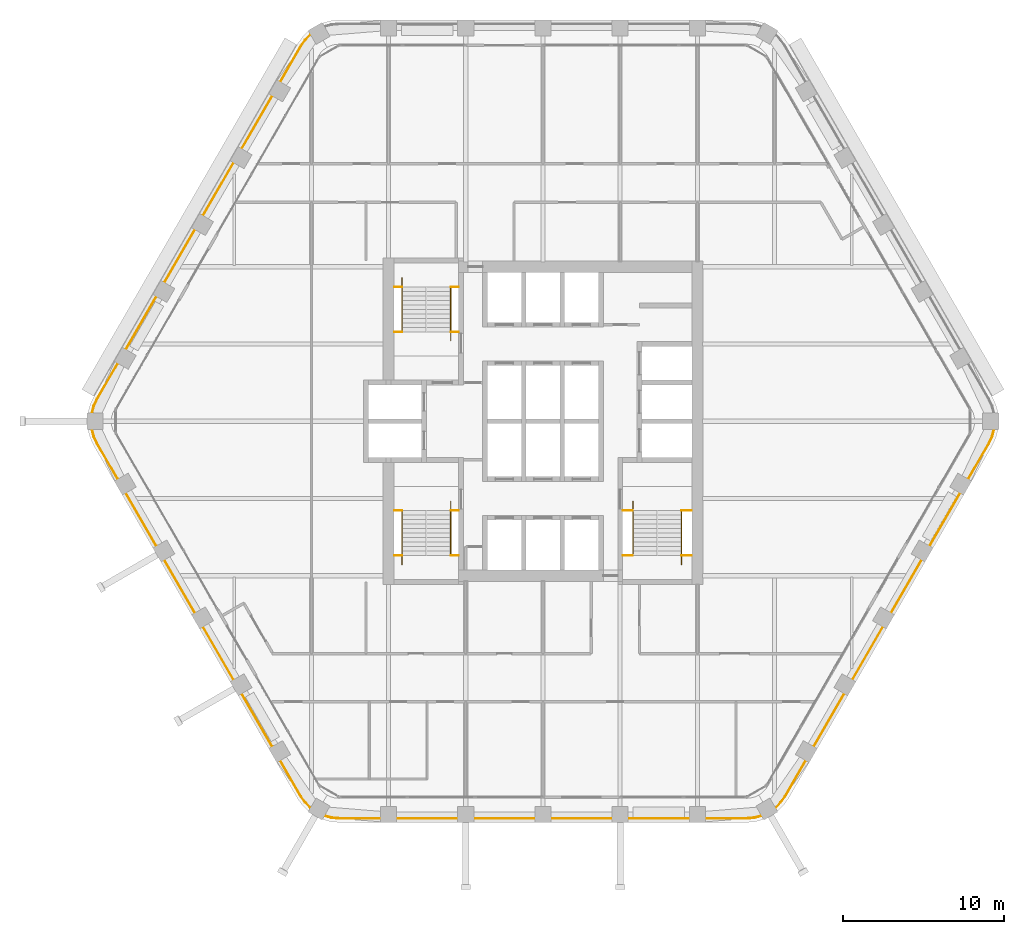
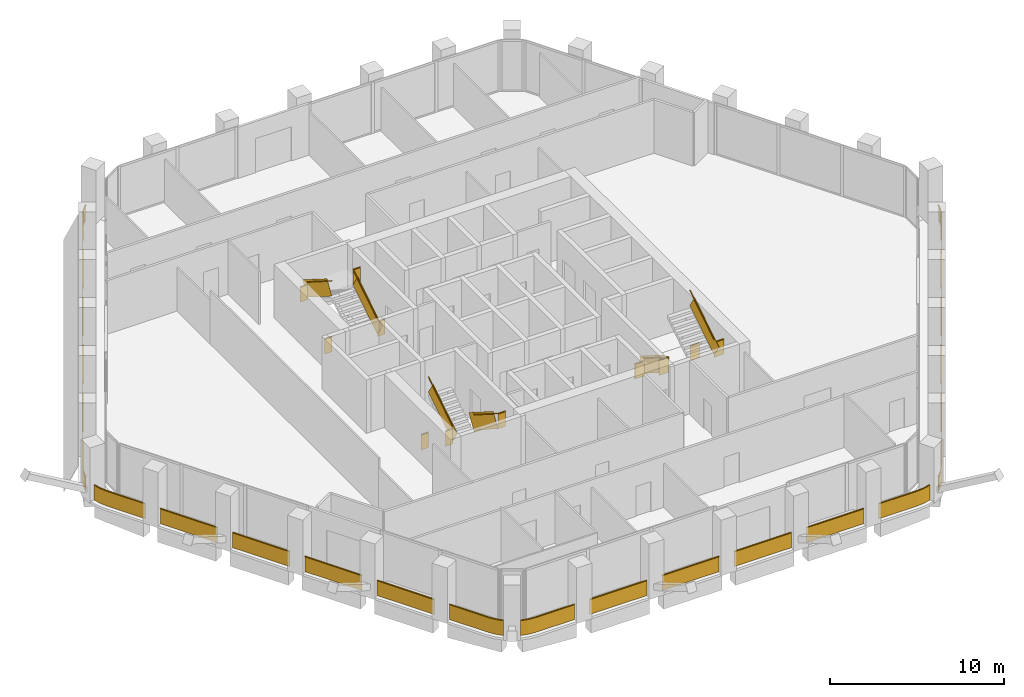
# One storey, part 15 of 16: 10 railings.
"""IFC4 building model written with IfcOpenShell, lengths in metres."""

from ifc_helpers import new_model, si_unit, direction, frame, frame_2d, origin, origin_2d, place, context, subcontext, project, spatial, rectangle, extrude, material, type_object, element, save


model = new_model("IFC4")

# Units and contexts
model_context = context("Model", 3, precision=1e-05, world=origin(), true_north=direction((0.0, 1.0)))
body_context = subcontext(model_context, "Body", "Model", "MODEL_VIEW")
ifc_project = project(units=[si_unit("LENGTHUNIT", "METRE"), si_unit("AREAUNIT", "SQUARE_METRE"), si_unit("VOLUMEUNIT", "CUBIC_METRE"), si_unit("PLANEANGLEUNIT", "RADIAN"), si_unit("MASSUNIT", "GRAM", prefix="KILO")], contexts=[model_context])

# Site, building, storey
site_placement = place(None, origin())
site = spatial("IfcSite", under=ifc_project, at=site_placement, CompositionType="ELEMENT")
building_placement = place(site_placement, origin())
building = spatial("IfcBuilding", under=site, at=building_placement, Name="Kolab Exchange Tower", CompositionType="ELEMENT")
storey_placement = place(building_placement, frame((0.0, 0.0, 209.0)))
storey = spatial("IfcBuildingStorey", under=building, at=storey_placement, Name="L45", CompositionType="ELEMENT", Elevation=209.0)

# Railings
ifc_material_1 = material(Name="Stainless steel 316", Category="steel")
railing_type_1 = type_object("IfcRailingType", Name="GUARD 1100", PredefinedType="GUARDRAIL", material=ifc_material_1)
railing_1_placement = place(storey_placement, frame((-9.25, 5.550048828125, 0.0)))
element("IfcRailing", 1, at=railing_1_placement, inside=storey, type_object=railing_type_1, Name="Guard ST1", PredefinedType="GUARDRAIL", context=body_context, shape_type="SweptSolid", body=[
    extrude(rectangle(XDim=0.05, YDim=0.05, at=origin_2d()), frame((0.0, 0.0, 1.0751953125), z_axis=(1.0, 0.0, 0.0), x_axis=(0.0, 1.0, 0.0)), (0.0, 0.0, 1.0), 0.489990234375),
    extrude(rectangle(XDim=0.012, YDim=1.05009765625, at=frame_2d((0.0, 0.525146484375))), frame((0.0, 0.0, 0.0), z_axis=(1.0, 0.0, 0.0), x_axis=(0.0, 1.0, 0.0)), (0.0, 0.0, 1.0), 0.489990234375),
    extrude(rectangle(XDim=0.05, YDim=0.05, at=origin_2d()), frame((3.510009765625, 0.0, 1.0751953125), z_axis=(1.0, 0.0, 0.0), x_axis=(0.0, 1.0, 0.0)), (0.0, 0.0, 1.0), 0.489990234375),
    extrude(rectangle(XDim=0.012, YDim=1.05009765625, at=frame_2d((0.0, 0.525146484375))), frame((3.510009765625, 0.0, 0.0), z_axis=(1.0, 0.0, 0.0), x_axis=(0.0, 1.0, 0.0)), (0.0, 0.0, 1.0), 0.489990234375),
    extrude(rectangle(XDim=0.05, YDim=0.05, at=origin_2d()), frame((0.0, 2.800048828125, 3.025146484375), z_axis=(1.0, 0.0, 0.0), x_axis=(0.0, 1.0, 0.0)), (0.0, 0.0, 1.0), 0.489990234375),
    extrude(rectangle(XDim=0.012, YDim=1.05009765625, at=frame_2d((0.0, 0.525146484375))), frame((0.0, 2.800048828125, 1.949951171875), z_axis=(1.0, 0.0, 0.0), x_axis=(0.0, 1.0, 0.0)), (0.0, 0.0, 1.0), 0.489990234375),
    extrude(rectangle(XDim=0.05, YDim=0.05, at=origin_2d()), frame((3.510009765625, 2.800048828125, 3.025146484375), z_axis=(1.0, 0.0, 0.0), x_axis=(0.0, 1.0, 0.0)), (0.0, 0.0, 1.0), 0.489990234375),
    extrude(rectangle(XDim=0.012, YDim=1.05009765625, at=frame_2d((0.0, 0.525146484375))), frame((3.510009765625, 2.800048828125, 1.949951171875), z_axis=(1.0, 0.0, 0.0), x_axis=(0.0, 1.0, 0.0)), (0.0, 0.0, 1.0), 0.489990234375),
])
railing_2_placement = place(storey_placement, frame((-5.739990234375, 5.550048828125, 0.17724609375)))
element("IfcRailing", 2, at=railing_2_placement, inside=storey, type_object=railing_type_1, Name="Handrail guard ST1", PredefinedType="GUARDRAIL", context=body_context, shape_type="SweptSolid", body=[
    extrude(rectangle(XDim=0.05, YDim=0.05, at=origin_2d()), frame((0.0, 0.0, 1.0751953125), z_axis=(0.0, 0.844908973607, 0.534910110503), x_axis=(-1.0, 0.0, 0.0)), (0.0, 0.0, 1.0), 3.31396484375),
    extrude(rectangle(XDim=0.012, YDim=1.05009765625, at=frame_2d((0.0, 0.525146484375))), frame((0.0, 0.0, 0.0), z_axis=(0.0, 0.844908973607, 0.534910110503), x_axis=(-1.0, 0.0, 0.0)), (0.0, 0.0, 1.0), 3.31396484375),
    extrude(rectangle(XDim=0.05, YDim=0.05, at=origin_2d()), frame((-3.02001953125, 2.800048828125, 3.025146484375), z_axis=(0.0, -0.844908973607, 0.534910110503), x_axis=(1.0, 0.0, 0.0)), (0.0, 0.0, 1.0), 3.31396484375),
    extrude(rectangle(XDim=0.012, YDim=1.05009765625, at=frame_2d((0.0, 0.525146484375))), frame((-3.02001953125, 2.800048828125, 1.949951171875), z_axis=(0.0, -0.844908973607, 0.534910110503), x_axis=(1.0, 0.0, 0.0)), (0.0, 0.0, 1.0), 3.31396484375),
])
railing_3_placement = place(storey_placement, frame((-9.25, -5.550048828125, 0.0)))
element("IfcRailing", 3, at=railing_3_placement, inside=storey, type_object=railing_type_1, Name="Guard ST3", PredefinedType="GUARDRAIL", context=body_context, shape_type="SweptSolid", body=[
    extrude(rectangle(XDim=0.05, YDim=0.05, at=origin_2d()), frame((0.0, 0.0, 1.0751953125), z_axis=(1.0, 0.0, 0.0), x_axis=(0.0, 1.0, 0.0)), (0.0, 0.0, 1.0), 0.489990234375),
    extrude(rectangle(XDim=0.012, YDim=1.05009765625, at=frame_2d((0.0, 0.525146484375))), frame((0.0, 0.0, 0.0), z_axis=(1.0, 0.0, 0.0), x_axis=(0.0, 1.0, 0.0)), (0.0, 0.0, 1.0), 0.489990234375),
    extrude(rectangle(XDim=0.05, YDim=0.05, at=origin_2d()), frame((3.510009765625, 0.0, 1.0751953125), z_axis=(1.0, 0.0, 0.0), x_axis=(0.0, 1.0, 0.0)), (0.0, 0.0, 1.0), 0.489990234375),
    extrude(rectangle(XDim=0.012, YDim=1.05009765625, at=frame_2d((0.0, 0.525146484375))), frame((3.510009765625, 0.0, 0.0), z_axis=(1.0, 0.0, 0.0), x_axis=(0.0, 1.0, 0.0)), (0.0, 0.0, 1.0), 0.489990234375),
    extrude(rectangle(XDim=0.05, YDim=0.05, at=origin_2d()), frame((0.0, -2.800048828125, 3.025146484375), z_axis=(1.0, 0.0, 0.0), x_axis=(0.0, 1.0, 0.0)), (0.0, 0.0, 1.0), 0.489990234375),
    extrude(rectangle(XDim=0.012, YDim=1.05009765625, at=frame_2d((0.0, 0.525146484375))), frame((0.0, -2.800048828125, 1.949951171875), z_axis=(1.0, 0.0, 0.0), x_axis=(0.0, 1.0, 0.0)), (0.0, 0.0, 1.0), 0.489990234375),
    extrude(rectangle(XDim=0.05, YDim=0.05, at=origin_2d()), frame((3.510009765625, -2.800048828125, 3.025146484375), z_axis=(1.0, 0.0, 0.0), x_axis=(0.0, 1.0, 0.0)), (0.0, 0.0, 1.0), 0.489990234375),
    extrude(rectangle(XDim=0.012, YDim=1.05009765625, at=frame_2d((0.0, 0.525146484375))), frame((3.510009765625, -2.800048828125, 1.949951171875), z_axis=(1.0, 0.0, 0.0), x_axis=(0.0, 1.0, 0.0)), (0.0, 0.0, 1.0), 0.489990234375),
])
railing_4_placement = place(storey_placement, frame((-5.739990234375, -5.550048828125, 0.17724609375)))
element("IfcRailing", 4, at=railing_4_placement, inside=storey, type_object=railing_type_1, Name="Handrail guard ST3", PredefinedType="GUARDRAIL", context=body_context, shape_type="SweptSolid", body=[
    extrude(rectangle(XDim=0.05, YDim=0.05, at=origin_2d()), frame((0.0, 0.0, 1.0751953125), z_axis=(0.0, -0.844908973607, 0.534910110503), x_axis=(1.0, 0.0, 0.0)), (0.0, 0.0, 1.0), 3.31396484375),
    extrude(rectangle(XDim=0.012, YDim=1.05009765625, at=frame_2d((0.0, 0.525146484375))), frame((0.0, 0.0, 0.0), z_axis=(0.0, -0.844908973607, 0.534910110503), x_axis=(1.0, 0.0, 0.0)), (0.0, 0.0, 1.0), 3.31396484375),
    extrude(rectangle(XDim=0.05, YDim=0.05, at=origin_2d()), frame((-3.02001953125, -2.800048828125, 3.025146484375), z_axis=(0.0, 0.844908973607, 0.534910110503), x_axis=(-1.0, 0.0, 0.0)), (0.0, 0.0, 1.0), 3.31396484375),
    extrude(rectangle(XDim=0.012, YDim=1.05009765625, at=frame_2d((0.0, 0.525146484375))), frame((-3.02001953125, -2.800048828125, 1.949951171875), z_axis=(0.0, 0.844908973607, 0.534910110503), x_axis=(-1.0, 0.0, 0.0)), (0.0, 0.0, 1.0), 3.31396484375),
])
railing_5_placement = place(storey_placement, frame((4.949951171875, -5.550048828125, 0.0)))
element("IfcRailing", 5, at=railing_5_placement, inside=storey, type_object=railing_type_1, Name="Guard ST2", PredefinedType="GUARDRAIL", context=body_context, shape_type="SweptSolid", body=[
    extrude(rectangle(XDim=0.05, YDim=0.05, at=origin_2d()), frame((0.0, 0.0, 1.0751953125), z_axis=(1.0, 0.0, 0.0), x_axis=(0.0, 1.0, 0.0)), (0.0, 0.0, 1.0), 0.64013671875),
    extrude(rectangle(XDim=0.012, YDim=1.05009765625, at=frame_2d((0.0, 0.525146484375))), frame((0.0, 0.0, 0.0), z_axis=(1.0, 0.0, 0.0), x_axis=(0.0, 1.0, 0.0)), (0.0, 0.0, 1.0), 0.64013671875),
    extrude(rectangle(XDim=0.05, YDim=0.05, at=origin_2d()), frame((3.66015625, 0.0, 1.0751953125), z_axis=(1.0, 0.0, 0.0), x_axis=(0.0, 1.0, 0.0)), (0.0, 0.0, 1.0), 0.639892578125),
    extrude(rectangle(XDim=0.012, YDim=1.05009765625, at=frame_2d((0.0, 0.525146484375))), frame((3.66015625, 0.0, 0.0), z_axis=(1.0, 0.0, 0.0), x_axis=(0.0, 1.0, 0.0)), (0.0, 0.0, 1.0), 0.639892578125),
    extrude(rectangle(XDim=0.05, YDim=0.05, at=origin_2d()), frame((0.0, -2.800048828125, 3.025146484375), z_axis=(1.0, 0.0, 0.0), x_axis=(0.0, 1.0, 0.0)), (0.0, 0.0, 1.0), 0.64013671875),
    extrude(rectangle(XDim=0.012, YDim=1.05009765625, at=frame_2d((0.0, 0.525146484375))), frame((0.0, -2.800048828125, 1.949951171875), z_axis=(1.0, 0.0, 0.0), x_axis=(0.0, 1.0, 0.0)), (0.0, 0.0, 1.0), 0.64013671875),
    extrude(rectangle(XDim=0.05, YDim=0.05, at=origin_2d()), frame((3.66015625, -2.800048828125, 3.025146484375), z_axis=(1.0, 0.0, 0.0), x_axis=(0.0, 1.0, 0.0)), (0.0, 0.0, 1.0), 0.639892578125),
    extrude(rectangle(XDim=0.012, YDim=1.05009765625, at=frame_2d((0.0, 0.525146484375))), frame((3.66015625, -2.800048828125, 1.949951171875), z_axis=(1.0, 0.0, 0.0), x_axis=(0.0, 1.0, 0.0)), (0.0, 0.0, 1.0), 0.639892578125),
])
railing_6_placement = place(storey_placement, frame((5.590087890625, -5.550048828125, 0.17724609375)))
element("IfcRailing", 6, at=railing_6_placement, inside=storey, type_object=railing_type_1, Name="Handrail guard ST2", PredefinedType="GUARDRAIL", context=body_context, shape_type="SweptSolid", body=[
    extrude(rectangle(XDim=0.05, YDim=0.05, at=origin_2d()), frame((0.0, 0.0, 1.0751953125), z_axis=(0.0, -0.844908973607, 0.534910110503), x_axis=(1.0, 0.0, 0.0)), (0.0, 0.0, 1.0), 3.31396484375),
    extrude(rectangle(XDim=0.012, YDim=1.05009765625, at=frame_2d((0.0, 0.525146484375))), frame((0.0, 0.0, 0.0), z_axis=(0.0, -0.844908973607, 0.534910110503), x_axis=(1.0, 0.0, 0.0)), (0.0, 0.0, 1.0), 3.31396484375),
    extrude(rectangle(XDim=0.05, YDim=0.05, at=origin_2d()), frame((3.02001953125, -2.800048828125, 3.025146484375), z_axis=(0.0, 0.844908973607, 0.534910110503), x_axis=(-1.0, 0.0, 0.0)), (0.0, 0.0, 1.0), 3.31396484375),
    extrude(rectangle(XDim=0.012, YDim=1.05009765625, at=frame_2d((0.0, 0.525146484375))), frame((3.02001953125, -2.800048828125, 1.949951171875), z_axis=(0.0, 0.844908973607, 0.534910110503), x_axis=(-1.0, 0.0, 0.0)), (0.0, 0.0, 1.0), 3.31396484375),
])
ifc_material_2 = material(Name="Steel S235", Category="steel")
railing_type_2 = type_object("IfcRailingType", Name="GUARD 1100 GLASS BALUSTRADE AND STEEL TOP RAIL", PredefinedType="GUARDRAIL", material=ifc_material_2)
railing_7_placement = place(storey_placement, frame((14.4501953125, -24.033447265625, 0.0)))
element("IfcRailing", 7, at=railing_7_placement, inside=storey, type_object=railing_type_2, Name="Guard", PredefinedType="GUARDRAIL", context=body_context, shape_type="SweptSolid", body=[
    extrude(rectangle(XDim=0.05, YDim=0.05, at=origin_2d()), frame((0.0, 0.0, 1.0751953125), z_axis=(0.70737286085, 0.706840601361, 0.0), x_axis=(-0.706840601361, 0.70737286085, 0.0)), (0.0, 0.0, 1.0), 0.458740234375),
    extrude(rectangle(XDim=0.012, YDim=1.05009765625, at=frame_2d((0.0, 0.525146484375))), frame((0.0, 0.0, 0.0), z_axis=(0.70737286085, 0.706840601361, 0.0), x_axis=(-0.706840601361, 0.70737286085, 0.0)), (0.0, 0.0, 1.0), 0.458740234375),
    extrude(rectangle(XDim=0.05, YDim=0.05, at=origin_2d()), frame((0.324462890625, 0.32421875, 1.0751953125), z_axis=(0.573599091554, 0.819136180478, 0.0), x_axis=(-0.819136180478, 0.573599091554, 0.0)), (0.0, 0.0, 1.0), 0.479248046875),
    extrude(rectangle(XDim=0.012, YDim=1.05009765625, at=frame_2d((0.0, 0.525146484375))), frame((0.324462890625, 0.32421875, 0.0), z_axis=(0.573599091554, 0.819136180478, 0.0), x_axis=(-0.819136180478, 0.573599091554, 0.0)), (0.0, 0.0, 1.0), 0.479248046875),
    extrude(rectangle(XDim=0.05, YDim=0.05, at=origin_2d()), frame((0.599365234375, 0.716796875, 1.0751953125), z_axis=(0.499952873616, 0.866052610505, 0.0), x_axis=(-0.866052610505, 0.499952873616, 0.0)), (0.0, 0.0, 1.0), 2.568115234375),
    extrude(rectangle(XDim=0.012, YDim=1.05009765625, at=frame_2d((0.0, 0.525146484375))), frame((0.599365234375, 0.716796875, 0.0), z_axis=(0.499952873616, 0.866052610505, 0.0), x_axis=(-0.866052610505, 0.499952873616, 0.0)), (0.0, 0.0, 1.0), 2.568115234375),
    extrude(rectangle(XDim=0.05, YDim=0.05, at=origin_2d()), frame((2.38330078125, 3.806884765625, 1.0751953125), z_axis=(0.499994975061, 0.866028304915, 0.0), x_axis=(-0.866028304915, 0.499994975061, 0.0)), (0.0, 0.0, 1.0), 3.7998046875),
    extrude(rectangle(XDim=0.012, YDim=1.05009765625, at=frame_2d((0.0, 0.525146484375))), frame((2.38330078125, 3.806884765625, 0.0), z_axis=(0.499994975061, 0.866028304915, 0.0), x_axis=(-0.866028304915, 0.499994975061, 0.0)), (0.0, 0.0, 1.0), 3.7998046875),
    extrude(rectangle(XDim=0.05, YDim=0.05, at=origin_2d()), frame((4.783203125, 7.9638671875, 1.0751953125), z_axis=(0.500043160704, 0.866000483506, 0.0), x_axis=(-0.866000483506, 0.500043160704, 0.0)), (0.0, 0.0, 1.0), 3.800048828125),
    extrude(rectangle(XDim=0.012, YDim=1.05009765625, at=frame_2d((0.0, 0.525146484375))), frame((4.783203125, 7.9638671875, 0.0), z_axis=(0.500043160704, 0.866000483506, 0.0), x_axis=(-0.866000483506, 0.500043160704, 0.0)), (0.0, 0.0, 1.0), 3.800048828125),
    extrude(rectangle(XDim=0.05, YDim=0.05, at=origin_2d()), frame((7.183349609375, 12.12060546875, 1.0751953125), z_axis=(0.499967155389, 0.866044365799, 0.0), x_axis=(-0.866044365799, 0.499967155389, 0.0)), (0.0, 0.0, 1.0), 3.800048828125),
    extrude(rectangle(XDim=0.012, YDim=1.05009765625, at=frame_2d((0.0, 0.525146484375))), frame((7.183349609375, 12.12060546875, 0.0), z_axis=(0.499967155389, 0.866044365799, 0.0), x_axis=(-0.866044365799, 0.499967155389, 0.0)), (0.0, 0.0, 1.0), 3.800048828125),
    extrude(rectangle(XDim=0.05, YDim=0.05, at=origin_2d()), frame((9.583251953125, 16.277587890625, 1.0751953125), z_axis=(0.500015340139, 0.86601654697, 0.0), x_axis=(-0.86601654697, 0.500015340139, 0.0)), (0.0, 0.0, 1.0), 3.80029296875),
    extrude(rectangle(XDim=0.012, YDim=1.05009765625, at=frame_2d((0.0, 0.525146484375))), frame((9.583251953125, 16.277587890625, 0.0), z_axis=(0.500015340139, 0.86601654697, 0.0), x_axis=(-0.86601654697, 0.500015340139, 0.0)), (0.0, 0.0, 1.0), 3.80029296875),
    extrude(rectangle(XDim=0.05, YDim=0.05, at=origin_2d()), frame((11.9833984375, 20.4345703125, 1.0751953125), z_axis=(0.499994038704, 0.866028845513, 0.0), x_axis=(-0.866028845513, 0.499994038704, 0.0)), (0.0, 0.0, 1.0), 2.56787109375),
    extrude(rectangle(XDim=0.012, YDim=1.05009765625, at=frame_2d((0.0, 0.525146484375))), frame((11.9833984375, 20.4345703125, 0.0), z_axis=(0.499994038704, 0.866028845513, 0.0), x_axis=(-0.866028845513, 0.499994038704, 0.0)), (0.0, 0.0, 1.0), 2.56787109375),
    extrude(rectangle(XDim=0.05, YDim=0.05, at=origin_2d()), frame((13.267333984375, 22.658447265625, 1.0751953125), z_axis=(0.422801802984, 0.906222177721, 0.0), x_axis=(-0.906222177721, 0.422801802984, 0.0)), (0.0, 0.0, 1.0), 0.479248046875),
    extrude(rectangle(XDim=0.012, YDim=1.05009765625, at=frame_2d((0.0, 0.525146484375))), frame((13.267333984375, 22.658447265625, 0.0), z_axis=(0.422801802984, 0.906222177721, 0.0), x_axis=(-0.906222177721, 0.422801802984, 0.0)), (0.0, 0.0, 1.0), 0.479248046875),
    extrude(rectangle(XDim=0.05, YDim=0.05, at=origin_2d()), frame((13.469970703125, 23.0927734375, 1.0751953125), z_axis=(0.25865627591, 0.965969425465, 0.0), x_axis=(-0.965969425465, 0.25865627591, 0.0)), (0.0, 0.0, 1.0), 0.458740234375),
    extrude(rectangle(XDim=0.012, YDim=1.05009765625, at=frame_2d((0.0, 0.525146484375))), frame((13.469970703125, 23.0927734375, 0.0), z_axis=(0.25865627591, 0.965969425465, 0.0), x_axis=(-0.965969425465, 0.25865627591, 0.0)), (0.0, 0.0, 1.0), 0.458740234375),
])
railing_8_placement = place(storey_placement, frame((-13.588623046875, -24.531005859375, 0.0)))
element("IfcRailing", 8, at=railing_8_placement, inside=storey, type_object=railing_type_2, Name="Guard", PredefinedType="GUARDRAIL", context=body_context, shape_type="SweptSolid", body=[
    extrude(rectangle(XDim=0.05, YDim=0.05, at=origin_2d()), frame((0.0, 0.0, 1.0751953125), z_axis=(0.965969425465, -0.25865627591, 0.0), x_axis=(0.25865627591, 0.965969425465, 0.0)), (0.0, 0.0, 1.0), 0.458740234375),
    extrude(rectangle(XDim=0.012, YDim=1.05009765625, at=frame_2d((0.0, 0.525146484375))), frame((0.0, 0.0, 0.0), z_axis=(0.965969425465, -0.25865627591, 0.0), x_axis=(0.25865627591, 0.965969425465, 0.0)), (0.0, 0.0, 1.0), 0.458740234375),
    extrude(rectangle(XDim=0.05, YDim=0.05, at=origin_2d()), frame((0.443115234375, -0.11865234375, 1.0751953125), z_axis=(0.996156034798, -0.087596542937, 0.0), x_axis=(0.087596542937, 0.996156034798, 0.0)), (0.0, 0.0, 1.0), 0.4794921875),
    extrude(rectangle(XDim=0.012, YDim=1.05009765625, at=frame_2d((0.0, 0.525146484375))), frame((0.443115234375, -0.11865234375, 0.0), z_axis=(0.996156034798, -0.087596542937, 0.0), x_axis=(0.087596542937, 0.996156034798, 0.0)), (0.0, 0.0, 1.0), 0.4794921875),
    extrude(rectangle(XDim=0.05, YDim=0.05, at=origin_2d()), frame((0.920654296875, -0.16064453125, 1.0751953125), z_axis=(1.0, 0.0, 0.0), x_axis=(0.0, 1.0, 0.0)), (0.0, 0.0, 1.0), 2.56787109375),
    extrude(rectangle(XDim=0.012, YDim=1.05009765625, at=frame_2d((0.0, 0.525146484375))), frame((0.920654296875, -0.16064453125, 0.0), z_axis=(1.0, 0.0, 0.0), x_axis=(0.0, 1.0, 0.0)), (0.0, 0.0, 1.0), 2.56787109375),
    extrude(rectangle(XDim=0.05, YDim=0.05, at=origin_2d()), frame((4.488525390625, -0.16064453125, 1.0751953125), z_axis=(1.0, 0.0, 0.0), x_axis=(0.0, 1.0, 0.0)), (0.0, 0.0, 1.0), 3.800048828125),
    extrude(rectangle(XDim=0.012, YDim=1.05009765625, at=frame_2d((0.0, 0.525146484375))), frame((4.488525390625, -0.16064453125, 0.0), z_axis=(1.0, 0.0, 0.0), x_axis=(0.0, 1.0, 0.0)), (0.0, 0.0, 1.0), 3.800048828125),
    extrude(rectangle(XDim=0.05, YDim=0.05, at=origin_2d()), frame((9.28857421875, -0.16064453125, 1.0751953125), z_axis=(1.0, 0.0, 0.0), x_axis=(0.0, 1.0, 0.0)), (0.0, 0.0, 1.0), 3.800048828125),
    extrude(rectangle(XDim=0.012, YDim=1.05009765625, at=frame_2d((0.0, 0.525146484375))), frame((9.28857421875, -0.16064453125, 0.0), z_axis=(1.0, 0.0, 0.0), x_axis=(0.0, 1.0, 0.0)), (0.0, 0.0, 1.0), 3.800048828125),
    extrude(rectangle(XDim=0.05, YDim=0.05, at=origin_2d()), frame((14.088623046875, -0.16064453125, 1.0751953125), z_axis=(1.0, 0.0, 0.0), x_axis=(0.0, 1.0, 0.0)), (0.0, 0.0, 1.0), 3.800048828125),
    extrude(rectangle(XDim=0.012, YDim=1.05009765625, at=frame_2d((0.0, 0.525146484375))), frame((14.088623046875, -0.16064453125, 0.0), z_axis=(1.0, 0.0, 0.0), x_axis=(0.0, 1.0, 0.0)), (0.0, 0.0, 1.0), 3.800048828125),
    extrude(rectangle(XDim=0.05, YDim=0.05, at=origin_2d()), frame((18.888671875, -0.16064453125, 1.0751953125), z_axis=(1.0, 0.0, 0.0), x_axis=(0.0, 1.0, 0.0)), (0.0, 0.0, 1.0), 3.800048828125),
    extrude(rectangle(XDim=0.012, YDim=1.05009765625, at=frame_2d((0.0, 0.525146484375))), frame((18.888671875, -0.16064453125, 0.0), z_axis=(1.0, 0.0, 0.0), x_axis=(0.0, 1.0, 0.0)), (0.0, 0.0, 1.0), 3.800048828125),
    extrude(rectangle(XDim=0.05, YDim=0.05, at=origin_2d()), frame((23.688720703125, -0.16064453125, 1.0751953125), z_axis=(1.0, 0.0, 0.0), x_axis=(0.0, 1.0, 0.0)), (0.0, 0.0, 1.0), 2.56787109375),
    extrude(rectangle(XDim=0.012, YDim=1.05009765625, at=frame_2d((0.0, 0.525146484375))), frame((23.688720703125, -0.16064453125, 0.0), z_axis=(1.0, 0.0, 0.0), x_axis=(0.0, 1.0, 0.0)), (0.0, 0.0, 1.0), 2.56787109375),
    extrude(rectangle(XDim=0.05, YDim=0.05, at=origin_2d()), frame((26.256591796875, -0.16064453125, 1.0751953125), z_axis=(0.996156034798, 0.087596542937, 0.0), x_axis=(-0.087596542937, 0.996156034798, 0.0)), (0.0, 0.0, 1.0), 0.4794921875),
    extrude(rectangle(XDim=0.012, YDim=1.05009765625, at=frame_2d((0.0, 0.525146484375))), frame((26.256591796875, -0.16064453125, 0.0), z_axis=(0.996156034798, 0.087596542937, 0.0), x_axis=(-0.087596542937, 0.996156034798, 0.0)), (0.0, 0.0, 1.0), 0.4794921875),
    extrude(rectangle(XDim=0.05, YDim=0.05, at=origin_2d()), frame((26.734130859375, -0.11865234375, 1.0751953125), z_axis=(0.965969425465, 0.25865627591, 0.0), x_axis=(-0.25865627591, 0.965969425465, 0.0)), (0.0, 0.0, 1.0), 0.458740234375),
    extrude(rectangle(XDim=0.012, YDim=1.05009765625, at=frame_2d((0.0, 0.525146484375))), frame((26.734130859375, -0.11865234375, 0.0), z_axis=(0.965969425465, 0.25865627591, 0.0), x_axis=(-0.25865627591, 0.965969425465, 0.0)), (0.0, 0.0, 1.0), 0.458740234375),
])
railing_9_placement = place(storey_placement, frame((-28.038818359375, -0.49755859375, 0.0)))
element("IfcRailing", 9, at=railing_9_placement, inside=storey, type_object=railing_type_2, Name="Guard", PredefinedType="GUARDRAIL", context=body_context, shape_type="SweptSolid", body=[
    extrude(rectangle(XDim=0.05, YDim=0.05, at=origin_2d()), frame((0.0, 0.0, 1.0751953125), z_axis=(0.25865627591, -0.965969425465, 0.0), x_axis=(0.965969425465, 0.25865627591, 0.0)), (0.0, 0.0, 1.0), 0.458740234375),
    extrude(rectangle(XDim=0.012, YDim=1.05009765625, at=frame_2d((0.0, 0.525146484375))), frame((0.0, 0.0, 0.0), z_axis=(0.25865627591, -0.965969425465, 0.0), x_axis=(0.965969425465, 0.25865627591, 0.0)), (0.0, 0.0, 1.0), 0.458740234375),
    extrude(rectangle(XDim=0.05, YDim=0.05, at=origin_2d()), frame((0.11865234375, -0.443115234375, 1.0751953125), z_axis=(0.422801802984, -0.906222177721, 0.0), x_axis=(0.906222177721, 0.422801802984, 0.0)), (0.0, 0.0, 1.0), 0.479248046875),
    extrude(rectangle(XDim=0.012, YDim=1.05009765625, at=frame_2d((0.0, 0.525146484375))), frame((0.11865234375, -0.443115234375, 0.0), z_axis=(0.422801802984, -0.906222177721, 0.0), x_axis=(0.906222177721, 0.422801802984, 0.0)), (0.0, 0.0, 1.0), 0.479248046875),
    extrude(rectangle(XDim=0.05, YDim=0.05, at=origin_2d()), frame((0.3212890625, -0.87744140625, 1.0751953125), z_axis=(0.499994038704, -0.866028845513, 0.0), x_axis=(0.866028845513, 0.499994038704, 0.0)), (0.0, 0.0, 1.0), 2.56787109375),
    extrude(rectangle(XDim=0.012, YDim=1.05009765625, at=frame_2d((0.0, 0.525146484375))), frame((0.3212890625, -0.87744140625, 0.0), z_axis=(0.499994038704, -0.866028845513, 0.0), x_axis=(0.866028845513, 0.499994038704, 0.0)), (0.0, 0.0, 1.0), 2.56787109375),
    extrude(rectangle(XDim=0.05, YDim=0.05, at=origin_2d()), frame((2.105224609375, -3.96728515625, 1.0751953125), z_axis=(0.500015340139, -0.86601654697, 0.0), x_axis=(0.86601654697, 0.500015340139, 0.0)), (0.0, 0.0, 1.0), 3.80029296875),
    extrude(rectangle(XDim=0.012, YDim=1.05009765625, at=frame_2d((0.0, 0.525146484375))), frame((2.105224609375, -3.96728515625, 0.0), z_axis=(0.500015340139, -0.86601654697, 0.0), x_axis=(0.86601654697, 0.500015340139, 0.0)), (0.0, 0.0, 1.0), 3.80029296875),
    extrude(rectangle(XDim=0.05, YDim=0.05, at=origin_2d()), frame((4.50537109375, -8.124267578125, 1.0751953125), z_axis=(0.499967155389, -0.866044365799, 0.0), x_axis=(0.866044365799, 0.499967155389, 0.0)), (0.0, 0.0, 1.0), 3.800048828125),
    extrude(rectangle(XDim=0.012, YDim=1.05009765625, at=frame_2d((0.0, 0.525146484375))), frame((4.50537109375, -8.124267578125, 0.0), z_axis=(0.499967155389, -0.866044365799, 0.0), x_axis=(0.866044365799, 0.499967155389, 0.0)), (0.0, 0.0, 1.0), 3.800048828125),
    extrude(rectangle(XDim=0.05, YDim=0.05, at=origin_2d()), frame((6.9052734375, -12.28125, 1.0751953125), z_axis=(0.500043160704, -0.866000483506, 0.0), x_axis=(0.866000483506, 0.500043160704, 0.0)), (0.0, 0.0, 1.0), 3.800048828125),
    extrude(rectangle(XDim=0.012, YDim=1.05009765625, at=frame_2d((0.0, 0.525146484375))), frame((6.9052734375, -12.28125, 0.0), z_axis=(0.500043160704, -0.866000483506, 0.0), x_axis=(0.866000483506, 0.500043160704, 0.0)), (0.0, 0.0, 1.0), 3.800048828125),
    extrude(rectangle(XDim=0.05, YDim=0.05, at=origin_2d()), frame((9.305419921875, -16.438232421875, 1.0751953125), z_axis=(0.499994975061, -0.866028304915, 0.0), x_axis=(0.866028304915, 0.499994975061, 0.0)), (0.0, 0.0, 1.0), 3.7998046875),
    extrude(rectangle(XDim=0.012, YDim=1.05009765625, at=frame_2d((0.0, 0.525146484375))), frame((9.305419921875, -16.438232421875, 0.0), z_axis=(0.499994975061, -0.866028304915, 0.0), x_axis=(0.866028304915, 0.499994975061, 0.0)), (0.0, 0.0, 1.0), 3.7998046875),
    extrude(rectangle(XDim=0.05, YDim=0.05, at=origin_2d()), frame((11.705322265625, -20.594970703125, 1.0751953125), z_axis=(0.499952873616, -0.866052610505, 0.0), x_axis=(0.866052610505, 0.499952873616, 0.0)), (0.0, 0.0, 1.0), 2.568115234375),
    extrude(rectangle(XDim=0.012, YDim=1.05009765625, at=frame_2d((0.0, 0.525146484375))), frame((11.705322265625, -20.594970703125, 0.0), z_axis=(0.499952873616, -0.866052610505, 0.0), x_axis=(0.866052610505, 0.499952873616, 0.0)), (0.0, 0.0, 1.0), 2.568115234375),
    extrude(rectangle(XDim=0.05, YDim=0.05, at=origin_2d()), frame((12.9892578125, -22.819091796875, 1.0751953125), z_axis=(0.573599091554, -0.819136180478, 0.0), x_axis=(0.819136180478, 0.573599091554, 0.0)), (0.0, 0.0, 1.0), 0.479248046875),
    extrude(rectangle(XDim=0.012, YDim=1.05009765625, at=frame_2d((0.0, 0.525146484375))), frame((12.9892578125, -22.819091796875, 0.0), z_axis=(0.573599091554, -0.819136180478, 0.0), x_axis=(0.819136180478, 0.573599091554, 0.0)), (0.0, 0.0, 1.0), 0.479248046875),
    extrude(rectangle(XDim=0.05, YDim=0.05, at=origin_2d()), frame((13.26416015625, -23.211669921875, 1.0751953125), z_axis=(0.70737286085, -0.706840601361, 0.0), x_axis=(0.706840601361, 0.70737286085, 0.0)), (0.0, 0.0, 1.0), 0.458740234375),
    extrude(rectangle(XDim=0.012, YDim=1.05009765625, at=frame_2d((0.0, 0.525146484375))), frame((13.26416015625, -23.211669921875, 0.0), z_axis=(0.70737286085, -0.706840601361, 0.0), x_axis=(0.706840601361, 0.70737286085, 0.0)), (0.0, 0.0, 1.0), 0.458740234375),
])
railing_10_placement = place(storey_placement, frame((-14.4501953125, 24.033447265625, 0.0)))
element("IfcRailing", 10, at=railing_10_placement, inside=storey, type_object=railing_type_2, Name="Guard", PredefinedType="GUARDRAIL", context=body_context, shape_type="SweptSolid", body=[
    extrude(rectangle(XDim=0.05, YDim=0.05, at=origin_2d()), frame((0.0, 0.0, 1.0751953125), z_axis=(-0.70737286085, -0.706840601361, 0.0), x_axis=(0.706840601361, -0.70737286085, 0.0)), (0.0, 0.0, 1.0), 0.458740234375),
    extrude(rectangle(XDim=0.012, YDim=1.05009765625, at=frame_2d((0.0, 0.525146484375))), frame((0.0, 0.0, 0.0), z_axis=(-0.70737286085, -0.706840601361, 0.0), x_axis=(0.706840601361, -0.70737286085, 0.0)), (0.0, 0.0, 1.0), 0.458740234375),
    extrude(rectangle(XDim=0.05, YDim=0.05, at=origin_2d()), frame((-0.324462890625, -0.32421875, 1.0751953125), z_axis=(-0.573599091554, -0.819136180478, 0.0), x_axis=(0.819136180478, -0.573599091554, 0.0)), (0.0, 0.0, 1.0), 0.479248046875),
    extrude(rectangle(XDim=0.012, YDim=1.05009765625, at=frame_2d((0.0, 0.525146484375))), frame((-0.324462890625, -0.32421875, 0.0), z_axis=(-0.573599091554, -0.819136180478, 0.0), x_axis=(0.819136180478, -0.573599091554, 0.0)), (0.0, 0.0, 1.0), 0.479248046875),
    extrude(rectangle(XDim=0.05, YDim=0.05, at=origin_2d()), frame((-0.599365234375, -0.716796875, 1.0751953125), z_axis=(-0.499952873616, -0.866052610505, 0.0), x_axis=(0.866052610505, -0.499952873616, 0.0)), (0.0, 0.0, 1.0), 2.568115234375),
    extrude(rectangle(XDim=0.012, YDim=1.05009765625, at=frame_2d((0.0, 0.525146484375))), frame((-0.599365234375, -0.716796875, 0.0), z_axis=(-0.499952873616, -0.866052610505, 0.0), x_axis=(0.866052610505, -0.499952873616, 0.0)), (0.0, 0.0, 1.0), 2.568115234375),
    extrude(rectangle(XDim=0.05, YDim=0.05, at=origin_2d()), frame((-2.38330078125, -3.806884765625, 1.0751953125), z_axis=(-0.499994975061, -0.866028304915, 0.0), x_axis=(0.866028304915, -0.499994975061, 0.0)), (0.0, 0.0, 1.0), 3.7998046875),
    extrude(rectangle(XDim=0.012, YDim=1.05009765625, at=frame_2d((0.0, 0.525146484375))), frame((-2.38330078125, -3.806884765625, 0.0), z_axis=(-0.499994975061, -0.866028304915, 0.0), x_axis=(0.866028304915, -0.499994975061, 0.0)), (0.0, 0.0, 1.0), 3.7998046875),
    extrude(rectangle(XDim=0.05, YDim=0.05, at=origin_2d()), frame((-4.783203125, -7.9638671875, 1.0751953125), z_axis=(-0.500043160704, -0.866000483506, 0.0), x_axis=(0.866000483506, -0.500043160704, 0.0)), (0.0, 0.0, 1.0), 3.800048828125),
    extrude(rectangle(XDim=0.012, YDim=1.05009765625, at=frame_2d((0.0, 0.525146484375))), frame((-4.783203125, -7.9638671875, 0.0), z_axis=(-0.500043160704, -0.866000483506, 0.0), x_axis=(0.866000483506, -0.500043160704, 0.0)), (0.0, 0.0, 1.0), 3.800048828125),
    extrude(rectangle(XDim=0.05, YDim=0.05, at=origin_2d()), frame((-7.183349609375, -12.12060546875, 1.0751953125), z_axis=(-0.499967155389, -0.866044365799, 0.0), x_axis=(0.866044365799, -0.499967155389, 0.0)), (0.0, 0.0, 1.0), 3.800048828125),
    extrude(rectangle(XDim=0.012, YDim=1.05009765625, at=frame_2d((0.0, 0.525146484375))), frame((-7.183349609375, -12.12060546875, 0.0), z_axis=(-0.499967155389, -0.866044365799, 0.0), x_axis=(0.866044365799, -0.499967155389, 0.0)), (0.0, 0.0, 1.0), 3.800048828125),
    extrude(rectangle(XDim=0.05, YDim=0.05, at=origin_2d()), frame((-9.583251953125, -16.277587890625, 1.0751953125), z_axis=(-0.500015340139, -0.86601654697, 0.0), x_axis=(0.86601654697, -0.500015340139, 0.0)), (0.0, 0.0, 1.0), 3.80029296875),
    extrude(rectangle(XDim=0.012, YDim=1.05009765625, at=frame_2d((0.0, 0.525146484375))), frame((-9.583251953125, -16.277587890625, 0.0), z_axis=(-0.500015340139, -0.86601654697, 0.0), x_axis=(0.86601654697, -0.500015340139, 0.0)), (0.0, 0.0, 1.0), 3.80029296875),
    extrude(rectangle(XDim=0.05, YDim=0.05, at=origin_2d()), frame((-11.9833984375, -20.4345703125, 1.0751953125), z_axis=(-0.499994038704, -0.866028845513, 0.0), x_axis=(0.866028845513, -0.499994038704, 0.0)), (0.0, 0.0, 1.0), 2.56787109375),
    extrude(rectangle(XDim=0.012, YDim=1.05009765625, at=frame_2d((0.0, 0.525146484375))), frame((-11.9833984375, -20.4345703125, 0.0), z_axis=(-0.499994038704, -0.866028845513, 0.0), x_axis=(0.866028845513, -0.499994038704, 0.0)), (0.0, 0.0, 1.0), 2.56787109375),
    extrude(rectangle(XDim=0.05, YDim=0.05, at=origin_2d()), frame((-13.267333984375, -22.658447265625, 1.0751953125), z_axis=(-0.422801802984, -0.906222177721, 0.0), x_axis=(0.906222177721, -0.422801802984, 0.0)), (0.0, 0.0, 1.0), 0.479248046875),
    extrude(rectangle(XDim=0.012, YDim=1.05009765625, at=frame_2d((0.0, 0.525146484375))), frame((-13.267333984375, -22.658447265625, 0.0), z_axis=(-0.422801802984, -0.906222177721, 0.0), x_axis=(0.906222177721, -0.422801802984, 0.0)), (0.0, 0.0, 1.0), 0.479248046875),
    extrude(rectangle(XDim=0.05, YDim=0.05, at=origin_2d()), frame((-13.469970703125, -23.0927734375, 1.0751953125), z_axis=(-0.25865627591, -0.965969425465, 0.0), x_axis=(0.965969425465, -0.25865627591, 0.0)), (0.0, 0.0, 1.0), 0.458740234375),
    extrude(rectangle(XDim=0.012, YDim=1.05009765625, at=frame_2d((0.0, 0.525146484375))), frame((-13.469970703125, -23.0927734375, 0.0), z_axis=(-0.25865627591, -0.965969425465, 0.0), x_axis=(0.965969425465, -0.25865627591, 0.0)), (0.0, 0.0, 1.0), 0.458740234375),
])

save(model, "model.ifc")
